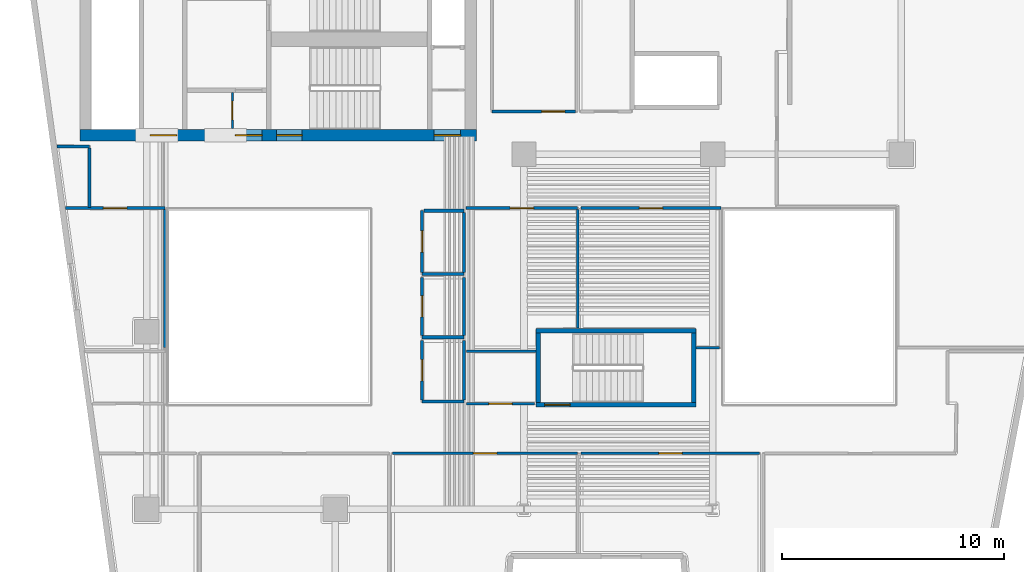
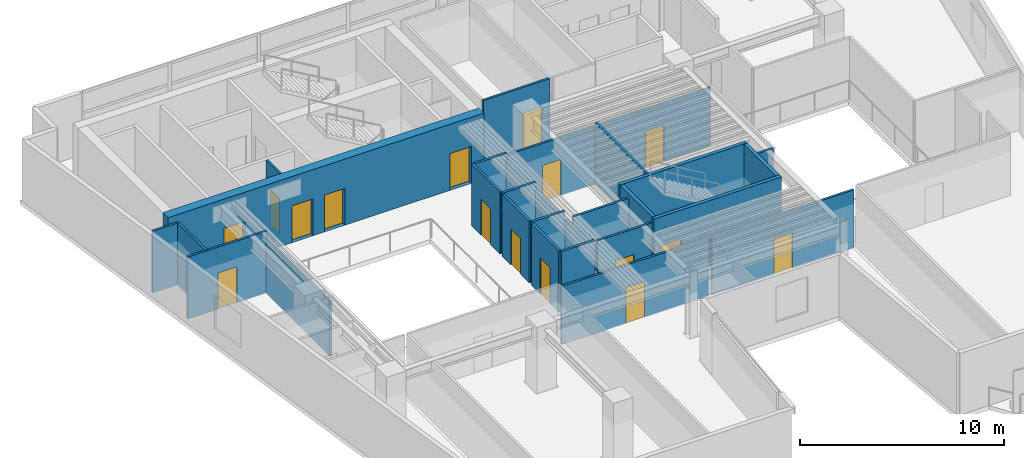
# One storey, part 6 of 12: 29 walls, 16 doors, 16 openings.
"""IFC4 building model written with IfcOpenShell, lengths in metres."""

from ifc_helpers import new_model, si_unit, direction, frame, frame_2d, origin, place, context, subcontext, project, spatial, rectangle, extrude, material, layer, layer_set, type_object, element, fill, save


model = new_model("IFC4")

# Units and contexts
model_context = context("Model", 3, precision=1e-05, world=origin(), true_north=direction((0.0, 1.0)))
body_context = subcontext(model_context, "Body", "Model", "MODEL_VIEW")
ifc_project = project(units=[si_unit("LENGTHUNIT", "METRE"), si_unit("AREAUNIT", "SQUARE_METRE"), si_unit("VOLUMEUNIT", "CUBIC_METRE"), si_unit("PLANEANGLEUNIT", "RADIAN"), si_unit("MASSUNIT", "GRAM", prefix="KILO")], contexts=[model_context])

# Site, building, storey
site_placement = place(None, origin())
site = spatial("IfcSite", under=ifc_project, at=site_placement, CompositionType="ELEMENT")
building_placement = place(site_placement, origin())
building = spatial("IfcBuilding", under=site, at=building_placement, Name="Caeloran Harvest Quay", CompositionType="ELEMENT")
storey_placement = place(building_placement, frame((0.0, 0.0, 146.949951171875)))
storey = spatial("IfcBuildingStorey", under=building, at=storey_placement, Name="L34", CompositionType="ELEMENT", Elevation=146.949951171875)

# Wall, opening, door
ifc_material_1 = material(Name="Fire-Resisting Gypsum Core Riser Partition", Category="gypsum")
ifc_layer_1 = layer(ifc_material_1, 0.10009765625, Name="Fire-Resisting Gypsum Core Riser Partition")
ifc_layer_set_1 = layer_set([ifc_layer_1], Name="Fire-Resisting Gypsum Core Riser Partition")
wall_type_1 = type_object("IfcWallType", Name="INT-WALL-PW-100", PredefinedType="PARTITIONING", material=ifc_layer_set_1)
wall_1_placement = place(storey_placement, frame((12.360107421875, 32.159912109375, 0.0), z_axis=(0.0, 0.0, 1.0), x_axis=(0.0, 1.0, 0.0)))
wall_1 = element("IfcWall", 1, at=wall_1_placement, inside=storey, type_object=wall_type_1, Name="L34 Core Store Partition Wall", PredefinedType="PARTITIONING", context=body_context, shape_type="SweptSolid", body=[
    extrude(rectangle(XDim=1.6201171875, YDim=0.10009765625, at=frame_2d((0.81005859375, 0.0))), origin(), (0.0, 0.0, 1.0), 3.68994140625),
])
opening_1_placement = place(wall_1_placement, frame((0.3798828125, 0.0, 0.0)))
opening_1 = element("IfcOpeningElement", 2, at=opening_1_placement, cuts=wall_1, Name="Opening SV-01", PredefinedType="OPENING", context=body_context, shape_type="SweptSolid", body=[
    extrude(rectangle(XDim=0.85009765625, YDim=2.10009765625, at=frame_2d((0.425048828125, 1.050048828125))), frame((0.0, 0.06005859375, 0.0), z_axis=(0.0, -1.0, 0.0), x_axis=(1.0, 0.0, 0.0)), (0.0, 0.0, 1.0), 0.1201171875),
])
ifc_material_2 = material(Name="Galvanized Painted Steel", Category="steel")
door_type_1 = type_object("IfcDoorType", Name="INTDOOR-SV-01", OperationType="NOTDEFINED", PredefinedType="DOOR", material=ifc_material_2)
door_1_placement = place(opening_1_placement, origin())
door_1 = element("IfcDoor", 3, at=door_1_placement, inside=storey, type_object=door_type_1, Name="L34 Core Service Room Access Door", OperationType="SINGLE_SWING_LEFT", OverallHeight=2.10009765625, OverallWidth=0.85009765625, PredefinedType="DOOR", context=body_context, shape_type="SweptSolid", body=[
    extrude(rectangle(XDim=0.85009765625, YDim=2.10009765625, at=frame_2d((0.425048828125, 1.050048828125))), frame((0.0, 0.02490234375, 0.0), z_axis=(0.0, -1.0, 0.0), x_axis=(1.0, 0.0, 0.0)), (0.0, 0.0, 1.0), 0.050048828125),
])
fill(opening_1, door_1)

ifc_material_3 = material(Name="Twin-Stud Mineral-Wool Acoustic Gypsum Partition", Category="gypsum")
ifc_layer_2 = layer(ifc_material_3, 0.125, Name="Twin-Stud Mineral-Wool Acoustic Gypsum Partition")
ifc_layer_set_2 = layer_set([ifc_layer_2], Name="Twin-Stud Mineral-Wool Acoustic Gypsum Partition")
wall_type_2 = type_object("IfcWallType", Name="INT-WALL-PW-125", PredefinedType="PARTITIONING", material=ifc_layer_set_2)
wall_2_placement = place(storey_placement, frame((27.8125, 32.919921875, 0.0), z_axis=(0.0, 0.0, 1.0), x_axis=(-1.0, 0.0, 0.0)))
wall_2 = element("IfcWall", 4, at=wall_2_placement, inside=storey, type_object=wall_type_2, Name="L34 Crop Phenotyping West Laboratory Partition Wall", PredefinedType="PARTITIONING", context=body_context, shape_type="SweptSolid", body=[
    extrude(rectangle(XDim=3.762451171875, YDim=0.125, at=frame_2d((1.88134765625, 0.0))), origin(), (0.0, 0.0, 1.0), 3.68994140625),
])
opening_2_placement = place(wall_2_placement, frame((0.466064453125, 0.0, 0.0)))
opening_2 = element("IfcOpeningElement", 5, at=opening_2_placement, cuts=wall_2, Name="Opening ID-03", PredefinedType="OPENING", context=body_context, shape_type="SweptSolid", body=[
    extrude(rectangle(XDim=1.050048828125, YDim=2.14990234375, at=frame_2d((0.52490234375, 1.074951171875))), frame((0.0, 0.072509765625, 0.0), z_axis=(0.0, -1.0, 0.0), x_axis=(1.0, 0.0, 0.0)), (0.0, 0.0, 1.0), 0.14501953125),
])
ifc_material_4 = material(Name="FSC Solid-Core Oak Timber Leaf", Category="wood")
door_type_2 = type_object("IfcDoorType", Name="INTDOOR-ID-03", OperationType="NOTDEFINED", PredefinedType="DOOR", material=ifc_material_4)
door_2_placement = place(opening_2_placement, origin())
door_2 = element("IfcDoor", 6, at=door_2_placement, inside=storey, type_object=door_type_2, Name="L34 Crop Phenotyping West Laboratory Access Door", OperationType="SINGLE_SWING_LEFT", OverallHeight=2.14990234375, OverallWidth=1.050048828125, PredefinedType="DOOR", context=body_context, shape_type="SweptSolid", body=[
    extrude(rectangle(XDim=1.050048828125, YDim=2.14990234375, at=frame_2d((0.52490234375, 1.074951171875))), frame((0.0, 0.02490234375, 0.0), z_axis=(0.0, -1.0, 0.0), x_axis=(1.0, 0.0, 0.0)), (0.0, 0.0, 1.0), 0.050048828125),
])
fill(opening_2, door_2)

wall_3_placement = place(storey_placement, frame((19.580078125, 17.52001953125, 0.0), z_axis=(0.0, 0.0, 1.0), x_axis=(1.0, 0.0, 0.0)))
wall_3 = element("IfcWall", 7, at=wall_3_placement, inside=storey, type_object=wall_type_2, Name="Climate Risk Modelling Office Partition Wall", PredefinedType="PARTITIONING", context=body_context, shape_type="SweptSolid", body=[
    extrude(rectangle(XDim=8.33984375, YDim=0.125, at=frame_2d((4.169921875, 0.0))), origin(), (0.0, 0.0, 1.0), 3.47509765625),
])
opening_3_placement = place(wall_3_placement, frame((3.64501953125, 0.0, 0.0)))
opening_3 = element("IfcOpeningElement", 8, at=opening_3_placement, cuts=wall_3, Name="Opening ID-03", PredefinedType="OPENING", context=body_context, shape_type="SweptSolid", body=[
    extrude(rectangle(XDim=1.050048828125, YDim=2.14990234375, at=frame_2d((0.52490234375, 1.074951171875))), frame((0.0, 0.072509765625, 0.0), z_axis=(0.0, -1.0, 0.0), x_axis=(1.0, 0.0, 0.0)), (0.0, 0.0, 1.0), 0.14501953125),
])
door_3_placement = place(opening_3_placement, origin())
door_3 = element("IfcDoor", 9, at=door_3_placement, inside=storey, type_object=door_type_2, Name="Climate Risk Modelling Office Access Door", OperationType="SINGLE_SWING_LEFT", OverallHeight=2.14990234375, OverallWidth=1.050048828125, PredefinedType="DOOR", context=body_context, shape_type="SweptSolid", body=[
    extrude(rectangle(XDim=1.050048828125, YDim=2.14990234375, at=frame_2d((0.52490234375, 1.074951171875))), frame((0.0, 0.02490234375, 0.0), z_axis=(0.0, -1.0, 0.0), x_axis=(1.0, 0.0, 0.0)), (0.0, 0.0, 1.0), 0.050048828125),
])
fill(opening_3, door_3)

wall_4_placement = place(storey_placement, frame((28.080078125, 17.52001953125, 0.0), z_axis=(0.0, 0.0, 1.0), x_axis=(1.0, 0.0, 0.0)))
wall_4 = element("IfcWall", 10, at=wall_4_placement, inside=storey, type_object=wall_type_2, Name="Video-Conference Boardroom Partition Wall", PredefinedType="PARTITIONING", context=body_context, shape_type="SweptSolid", body=[
    extrude(rectangle(XDim=8.0400390625, YDim=0.125, at=frame_2d((4.02001953125, 0.0))), origin(), (0.0, 0.0, 1.0), 3.47509765625),
])
opening_4_placement = place(wall_4_placement, frame((3.4951171875, 0.0, 0.0)))
opening_4 = element("IfcOpeningElement", 11, at=opening_4_placement, cuts=wall_4, Name="Opening ID-03", PredefinedType="OPENING", context=body_context, shape_type="SweptSolid", body=[
    extrude(rectangle(XDim=1.050048828125, YDim=2.14990234375, at=frame_2d((0.52490234375, 1.074951171875))), frame((0.0, 0.072509765625, 0.0), z_axis=(0.0, -1.0, 0.0), x_axis=(1.0, 0.0, 0.0)), (0.0, 0.0, 1.0), 0.14501953125),
])
door_4_placement = place(opening_4_placement, origin())
door_4 = element("IfcDoor", 12, at=door_4_placement, inside=storey, type_object=door_type_2, Name="Video-Conference Boardroom Access Door", OperationType="SINGLE_SWING_RIGHT", OverallHeight=2.14990234375, OverallWidth=1.050048828125, PredefinedType="DOOR", context=body_context, shape_type="SweptSolid", body=[
    extrude(rectangle(XDim=1.050048828125, YDim=2.14990234375, at=frame_2d((0.52490234375, 1.074951171875))), frame((0.0, 0.02490234375, 0.0), z_axis=(0.0, -1.0, 0.0), x_axis=(1.0, 0.0, 0.0)), (0.0, 0.0, 1.0), 0.050048828125),
])
fill(opening_4, door_4)

wall_5_placement = place(storey_placement, frame((25.9755859375, 19.75, 0.0), z_axis=(0.0, 0.0, 1.0), x_axis=(-1.0, 0.0, 0.0)))
wall_5 = element("IfcWall", 13, at=wall_5_placement, inside=storey, type_object=wall_type_2, Name="Executive Briefing Conference Room Partition Wall", PredefinedType="PARTITIONING", context=body_context, shape_type="SweptSolid", body=[
    extrude(rectangle(XDim=3.065673828125, YDim=0.125, at=frame_2d((1.53271484375, 0.0))), origin(), (0.0, 0.0, 1.0), 3.68994140625),
])
opening_5_placement = place(wall_5_placement, frame((1.0078125, 0.0, 0.0)))
opening_5 = element("IfcOpeningElement", 14, at=opening_5_placement, cuts=wall_5, Name="Opening ID-03", PredefinedType="OPENING", context=body_context, shape_type="SweptSolid", body=[
    extrude(rectangle(XDim=1.050048828125, YDim=2.14990234375, at=frame_2d((0.52490234375, 1.074951171875))), frame((0.0, 0.072509765625, 0.0), z_axis=(0.0, -1.0, 0.0), x_axis=(1.0, 0.0, 0.0)), (0.0, 0.0, 1.0), 0.14501953125),
])
door_5_placement = place(opening_5_placement, origin())
door_5 = element("IfcDoor", 15, at=door_5_placement, inside=storey, type_object=door_type_2, Name="Executive Briefing Conference Room Access Door", OperationType="SINGLE_SWING_LEFT", OverallHeight=2.14990234375, OverallWidth=1.050048828125, PredefinedType="DOOR", context=body_context, shape_type="SweptSolid", body=[
    extrude(rectangle(XDim=1.050048828125, YDim=2.14990234375, at=frame_2d((0.52490234375, 1.074951171875))), frame((0.0, 0.02490234375, 0.0), z_axis=(0.0, -1.0, 0.0), x_axis=(1.0, 0.0, 0.0)), (0.0, 0.0, 1.0), 0.050048828125),
])
fill(opening_5, door_5)

# Wall
wall_6_placement = place(storey_placement, frame((22.909912109375, 22.1201171875, 0.0), z_axis=(0.0, 0.0, 1.0), x_axis=(1.0, 0.0, 0.0)))
element("IfcWall", 16, at=wall_6_placement, inside=storey, type_object=wall_type_2, Name="Executive Briefing Conference Room Partition Wall", PredefinedType="PARTITIONING", context=body_context, shape_type="SweptSolid", body=[
    extrude(rectangle(XDim=3.135009765625, YDim=0.125, at=frame_2d((1.5673828125, 0.0))), origin(), (0.0, 0.0, 1.0), 3.68994140625),
])

# Wall, opening, door
wall_7_placement = place(storey_placement, frame((22.889892578125, 28.570068359375, 0.0), z_axis=(0.0, 0.0, 1.0), x_axis=(1.0, 0.0, 0.0)))
wall_7 = element("IfcWall", 17, at=wall_7_placement, inside=storey, type_object=wall_type_2, Name="Client Reception Salon Lounge Partition Wall", PredefinedType="PARTITIONING", context=body_context, shape_type="SweptSolid", body=[
    extrude(rectangle(XDim=5.030029296875, YDim=0.125, at=frame_2d((2.51513671875, 0.0))), origin(), (0.0, 0.0, 1.0), 3.47509765625),
])
opening_6_placement = place(wall_7_placement, frame((1.989990234375, 0.0, 0.0)))
opening_6 = element("IfcOpeningElement", 18, at=opening_6_placement, cuts=wall_7, Name="Opening ID-03", PredefinedType="OPENING", context=body_context, shape_type="SweptSolid", body=[
    extrude(rectangle(XDim=1.050048828125, YDim=2.14990234375, at=frame_2d((0.52490234375, 1.074951171875))), frame((0.0, 0.072509765625, 0.0), z_axis=(0.0, -1.0, 0.0), x_axis=(1.0, 0.0, 0.0)), (0.0, 0.0, 1.0), 0.14501953125),
])
door_6_placement = place(opening_6_placement, origin())
door_6 = element("IfcDoor", 19, at=door_6_placement, inside=storey, type_object=door_type_2, Name="Client Reception Salon Lounge Access Door", OperationType="SINGLE_SWING_LEFT", OverallHeight=2.14990234375, OverallWidth=1.050048828125, PredefinedType="DOOR", context=body_context, shape_type="SweptSolid", body=[
    extrude(rectangle(XDim=1.050048828125, YDim=2.14990234375, at=frame_2d((0.52490234375, 1.074951171875))), frame((0.0, 0.02490234375, 0.0), z_axis=(0.0, -1.0, 0.0), x_axis=(1.0, 0.0, 0.0)), (0.0, 0.0, 1.0), 0.050048828125),
])
fill(opening_6, door_6)

# Wall
wall_8_placement = place(storey_placement, frame((27.919921875, 28.50244140625, 0.0), z_axis=(0.0, 0.0, 1.0), x_axis=(0.0, -1.0, 0.0)))
element("IfcWall", 20, at=wall_8_placement, inside=storey, type_object=wall_type_2, Name="Client Reception Salon Lounge Partition Wall", PredefinedType="PARTITIONING", context=body_context, shape_type="SweptSolid", body=[
    extrude(rectangle(XDim=5.347412109375, YDim=0.125, at=frame_2d((2.673828125, 0.0))), origin(), (0.0, 0.0, 1.0), 3.68994140625),
])

# Wall, opening, door
wall_9_placement = place(storey_placement, frame((28.080078125, 28.570068359375, 0.0), z_axis=(0.0, 0.0, 1.0), x_axis=(1.0, 0.0, 0.0)))
wall_9 = element("IfcWall", 21, at=wall_9_placement, inside=storey, type_object=wall_type_2, Name="Supply-Chain Digital Trading Floor Office 9 Partition Wall", PredefinedType="PARTITIONING", context=body_context, shape_type="SweptSolid", body=[
    extrude(rectangle(XDim=6.2900390625, YDim=0.125, at=frame_2d((3.14501953125, 0.0))), origin(), (0.0, 0.0, 1.0), 3.47509765625),
])
opening_7_placement = place(wall_9_placement, frame((2.6201171875, 0.0, 0.0)))
opening_7 = element("IfcOpeningElement", 22, at=opening_7_placement, cuts=wall_9, Name="Opening ID-03", PredefinedType="OPENING", context=body_context, shape_type="SweptSolid", body=[
    extrude(rectangle(XDim=1.050048828125, YDim=2.14990234375, at=frame_2d((0.52490234375, 1.074951171875))), frame((0.0, 0.072509765625, 0.0), z_axis=(0.0, -1.0, 0.0), x_axis=(1.0, 0.0, 0.0)), (0.0, 0.0, 1.0), 0.14501953125),
])
door_7_placement = place(opening_7_placement, origin())
door_7 = element("IfcDoor", 23, at=door_7_placement, inside=storey, type_object=door_type_2, Name="Supply-Chain Digital Trading Floor Office 9 Access Door", OperationType="SINGLE_SWING_RIGHT", OverallHeight=2.14990234375, OverallWidth=1.050048828125, PredefinedType="DOOR", context=body_context, shape_type="SweptSolid", body=[
    extrude(rectangle(XDim=1.050048828125, YDim=2.14990234375, at=frame_2d((0.52490234375, 1.074951171875))), frame((0.0, 0.02490234375, 0.0), z_axis=(0.0, -1.0, 0.0), x_axis=(1.0, 0.0, 0.0)), (0.0, 0.0, 1.0), 0.050048828125),
])
fill(opening_7, door_7)

# Walls
wall_10_placement = place(storey_placement, frame((34.302490234375, 22.280029296875, 0.0), z_axis=(0.0, 0.0, 1.0), x_axis=(-1.0, 0.0, 0.0)))
element("IfcWall", 24, at=wall_10_placement, inside=storey, type_object=wall_type_2, Name="Supply-Chain Digital Trading Floor Office 9 Partition Wall", PredefinedType="PARTITIONING", context=body_context, shape_type="SweptSolid", body=[
    extrude(rectangle(XDim=1.047607421875, YDim=0.125, at=frame_2d((0.52392578125, 0.0))), origin(), (0.0, 0.0, 1.0), 3.68994140625),
])
wall_11_placement = place(storey_placement, frame((4.44775390625, 31.35009765625, 0.0), z_axis=(0.0, 0.0, 1.0), x_axis=(1.0, 0.0, 0.0)))
element("IfcWall", 25, at=wall_11_placement, inside=storey, type_object=wall_type_2, Name="Climate Risk Modelling Office 10 Partition Wall", PredefinedType="PARTITIONING", context=body_context, shape_type="SweptSolid", body=[
    extrude(rectangle(XDim=1.47216796875, YDim=0.125, at=frame_2d((0.736083984375, 0.0))), origin(), (0.0, 0.0, 1.0), 3.68994140625),
])
wall_12_placement = place(storey_placement, frame((5.919921875, 31.282470703125, 0.0), z_axis=(0.0, 0.0, 1.0), x_axis=(0.0, -1.0, 0.0)))
element("IfcWall", 26, at=wall_12_placement, inside=storey, type_object=wall_type_2, Name="Climate Risk Modelling Office 10 Partition Wall", PredefinedType="PARTITIONING", context=body_context, shape_type="SweptSolid", body=[
    extrude(rectangle(XDim=2.682373046875, YDim=0.125, at=frame_2d((1.34130859375, 0.0))), origin(), (0.0, 0.0, 1.0), 3.68994140625),
])

# Wall, opening, door
wall_13_placement = place(storey_placement, frame((4.832275390625, 28.570068359375, 0.0), z_axis=(0.0, 0.0, 1.0), x_axis=(1.0, 0.0, 0.0)))
wall_13 = element("IfcWall", 27, at=wall_13_placement, inside=storey, type_object=wall_type_2, Name="Climate Risk Modelling Office 10 Partition Wall", PredefinedType="PARTITIONING", context=body_context, shape_type="SweptSolid", body=[
    extrude(rectangle(XDim=4.48779296875, YDim=0.125, at=frame_2d((2.243896484375, 0.0))), origin(), (0.0, 0.0, 1.0), 3.68994140625),
])
opening_8_placement = place(wall_13_placement, frame((1.718994140625, 0.0, 0.0)))
opening_8 = element("IfcOpeningElement", 28, at=opening_8_placement, cuts=wall_13, Name="Opening ID-03", PredefinedType="OPENING", context=body_context, shape_type="SweptSolid", body=[
    extrude(rectangle(XDim=1.050048828125, YDim=2.14990234375, at=frame_2d((0.52490234375, 1.074951171875))), frame((0.0, 0.072509765625, 0.0), z_axis=(0.0, -1.0, 0.0), x_axis=(1.0, 0.0, 0.0)), (0.0, 0.0, 1.0), 0.14501953125),
])
door_8_placement = place(opening_8_placement, origin())
door_8 = element("IfcDoor", 29, at=door_8_placement, inside=storey, type_object=door_type_2, Name="Climate Risk Modelling Office 10 Access Door", OperationType="SINGLE_SWING_LEFT", OverallHeight=2.14990234375, OverallWidth=1.050048828125, PredefinedType="DOOR", context=body_context, shape_type="SweptSolid", body=[
    extrude(rectangle(XDim=1.050048828125, YDim=2.14990234375, at=frame_2d((0.52490234375, 1.074951171875))), frame((0.0, 0.02490234375, 0.0), z_axis=(0.0, -1.0, 0.0), x_axis=(1.0, 0.0, 0.0)), (0.0, 0.0, 1.0), 0.050048828125),
])
fill(opening_8, door_8)

# Walls
wall_14_placement = place(storey_placement, frame((9.320068359375, 28.50244140625, 0.0), z_axis=(0.0, 0.0, 1.0), x_axis=(0.0, -1.0, 0.0)))
element("IfcWall", 30, at=wall_14_placement, inside=storey, type_object=wall_type_2, Name="Climate Risk Modelling Office 10 Partition Wall", PredefinedType="PARTITIONING", context=body_context, shape_type="SweptSolid", body=[
    extrude(rectangle(XDim=6.222412109375, YDim=0.125, at=frame_2d((3.111328125, 0.0))), origin(), (0.0, 0.0, 1.0), 3.31494140625),
])
ifc_material_5 = material(Name="Moisture-Resistant Cement-Board Sanitary Partition", Category="gypsum")
ifc_layer_3 = layer(ifc_material_5, 0.139892578125, Name="Moisture-Resistant Cement-Board Sanitary Partition")
ifc_layer_set_3 = layer_set([ifc_layer_3], Name="Moisture-Resistant Cement-Board Sanitary Partition")
wall_type_3 = type_object("IfcWallType", Name="INT-WALL-PW-140", PredefinedType="PARTITIONING", material=ifc_layer_set_3)
wall_15_placement = place(storey_placement, frame((22.800048828125, 25.60009765625, 0.0), z_axis=(0.0, 0.0, 1.0), x_axis=(-1.0, 0.0, 0.0)))
element("IfcWall", 31, at=wall_15_placement, inside=storey, type_object=wall_type_3, Name="L34 Male Washroom WC Partition Wall", PredefinedType="PARTITIONING", context=body_context, shape_type="SweptSolid", body=[
    extrude(rectangle(XDim=1.89013671875, YDim=0.139892578125, at=frame_2d((0.945068359375, 0.0))), origin(), (0.0, 0.0, 1.0), 3.68994140625),
])

# Wall, opening, door
wall_16_placement = place(storey_placement, frame((20.909912109375, 25.675048828125, 0.0), z_axis=(0.0, 0.0, 1.0), x_axis=(0.0, 1.0, 0.0)))
wall_16 = element("IfcWall", 32, at=wall_16_placement, inside=storey, type_object=wall_type_3, Name="L34 Male Washroom WC Partition Wall", PredefinedType="PARTITIONING", context=body_context, shape_type="SweptSolid", body=[
    extrude(rectangle(XDim=2.77490234375, YDim=0.139892578125, at=frame_2d((1.387451171875, 0.0))), origin(), (0.0, 0.0, 1.0), 3.68994140625),
])
opening_9_placement = place(wall_16_placement, frame((0.91259765625, 0.0, 0.0)))
opening_9 = element("IfcOpeningElement", 33, at=opening_9_placement, cuts=wall_16, Name="Opening WC-01", PredefinedType="OPENING", context=body_context, shape_type="SweptSolid", body=[
    extrude(rectangle(XDim=0.949951171875, YDim=2.14990234375, at=frame_2d((0.47509765625, 1.074951171875))), frame((0.0, 0.080078125, 0.0), z_axis=(0.0, -1.0, 0.0), x_axis=(1.0, 0.0, 0.0)), (0.0, 0.0, 1.0), 0.159912109375),
])
ifc_material_6 = material(Name="High-Pressure Laminate Moisture-Resistant Timber", Category="wood")
door_type_3 = type_object("IfcDoorType", Name="INTDOOR-WC-01", OperationType="NOTDEFINED", PredefinedType="DOOR", material=ifc_material_6)
door_9_placement = place(opening_9_placement, origin())
door_9 = element("IfcDoor", 34, at=door_9_placement, inside=storey, type_object=door_type_3, Name="L34 Male Washroom WC Access Door", OperationType="SINGLE_SWING_LEFT", OverallHeight=2.14990234375, OverallWidth=0.949951171875, PredefinedType="DOOR", context=body_context, shape_type="SweptSolid", body=[
    extrude(rectangle(XDim=0.949951171875, YDim=2.14990234375, at=frame_2d((0.47509765625, 1.074951171875))), frame((0.0, 0.02490234375, 0.0), z_axis=(0.0, -1.0, 0.0), x_axis=(1.0, 0.0, 0.0)), (0.0, 0.0, 1.0), 0.050048828125),
])
fill(opening_9, door_9)

# Walls
wall_17_placement = place(storey_placement, frame((20.985107421875, 28.449951171875, 0.0), z_axis=(0.0, 0.0, 1.0), x_axis=(1.0, 0.0, 0.0)))
element("IfcWall", 35, at=wall_17_placement, inside=storey, type_object=wall_type_3, Name="L34 Male Washroom WC Partition Wall", PredefinedType="PARTITIONING", context=body_context, shape_type="SweptSolid", body=[
    extrude(rectangle(XDim=1.81494140625, YDim=0.139892578125, at=frame_2d((0.907470703125, 0.0))), origin(), (0.0, 0.0, 1.0), 3.68994140625),
])
wall_18_placement = place(storey_placement, frame((22.800048828125, 28.375, 0.0), z_axis=(0.0, 0.0, 1.0), x_axis=(0.0, -1.0, 0.0)))
element("IfcWall", 36, at=wall_18_placement, inside=storey, type_object=wall_type_3, Name="L34 Male Washroom WC Partition Wall", PredefinedType="PARTITIONING", context=body_context, shape_type="SweptSolid", body=[
    extrude(rectangle(XDim=2.699951171875, YDim=0.139892578125, at=frame_2d((1.35009765625, 0.0))), origin(), (0.0, 0.0, 1.0), 3.31494140625),
])
wall_19_placement = place(storey_placement, frame((22.800048828125, 22.75, 0.0), z_axis=(0.0, 0.0, 1.0), x_axis=(-1.0, 0.0, 0.0)))
element("IfcWall", 37, at=wall_19_placement, inside=storey, type_object=wall_type_3, Name="L34 Female Washroom WC Partition Wall", PredefinedType="PARTITIONING", context=body_context, shape_type="SweptSolid", body=[
    extrude(rectangle(XDim=1.89013671875, YDim=0.139892578125, at=frame_2d((0.945068359375, 0.0))), origin(), (0.0, 0.0, 1.0), 3.68994140625),
])

# Wall, opening, door
wall_20_placement = place(storey_placement, frame((20.909912109375, 22.824951171875, 0.0), z_axis=(0.0, 0.0, 1.0), x_axis=(0.0, 1.0, 0.0)))
wall_20 = element("IfcWall", 38, at=wall_20_placement, inside=storey, type_object=wall_type_3, Name="L34 Female Washroom WC Partition Wall", PredefinedType="PARTITIONING", context=body_context, shape_type="SweptSolid", body=[
    extrude(rectangle(XDim=2.625, YDim=0.139892578125, at=frame_2d((1.3125, 0.0))), origin(), (0.0, 0.0, 1.0), 3.68994140625),
])
opening_10_placement = place(wall_20_placement, frame((0.83740234375, 0.0, 0.0)))
opening_10 = element("IfcOpeningElement", 39, at=opening_10_placement, cuts=wall_20, Name="Opening WC-01", PredefinedType="OPENING", context=body_context, shape_type="SweptSolid", body=[
    extrude(rectangle(XDim=0.949951171875, YDim=2.14990234375, at=frame_2d((0.47509765625, 1.074951171875))), frame((0.0, 0.080078125, 0.0), z_axis=(0.0, -1.0, 0.0), x_axis=(1.0, 0.0, 0.0)), (0.0, 0.0, 1.0), 0.159912109375),
])
door_10_placement = place(opening_10_placement, origin())
door_10 = element("IfcDoor", 40, at=door_10_placement, inside=storey, type_object=door_type_3, Name="L34 Female Washroom WC Access Door", OperationType="SINGLE_SWING_RIGHT", OverallHeight=2.14990234375, OverallWidth=0.949951171875, PredefinedType="DOOR", context=body_context, shape_type="SweptSolid", body=[
    extrude(rectangle(XDim=0.949951171875, YDim=2.14990234375, at=frame_2d((0.47509765625, 1.074951171875))), frame((0.0, 0.02490234375, 0.0), z_axis=(0.0, -1.0, 0.0), x_axis=(1.0, 0.0, 0.0)), (0.0, 0.0, 1.0), 0.050048828125),
])
fill(opening_10, door_10)

# Walls
wall_21_placement = place(storey_placement, frame((22.800048828125, 25.449951171875, 0.0), z_axis=(0.0, 0.0, 1.0), x_axis=(0.0, -1.0, 0.0)))
element("IfcWall", 41, at=wall_21_placement, inside=storey, type_object=wall_type_3, Name="L34 Female Washroom WC Partition Wall", PredefinedType="PARTITIONING", context=body_context, shape_type="SweptSolid", body=[
    extrude(rectangle(XDim=2.625, YDim=0.139892578125, at=frame_2d((1.3125, 0.0))), origin(), (0.0, 0.0, 1.0), 3.31494140625),
])
wall_22_placement = place(storey_placement, frame((22.800048828125, 19.85009765625, 0.0), z_axis=(0.0, 0.0, 1.0), x_axis=(-1.0, 0.0, 0.0)))
element("IfcWall", 42, at=wall_22_placement, inside=storey, type_object=wall_type_3, Name="L34 Accessible Unisex Washroom WC Partition Wall", PredefinedType="PARTITIONING", context=body_context, shape_type="SweptSolid", body=[
    extrude(rectangle(XDim=1.89013671875, YDim=0.139892578125, at=frame_2d((0.945068359375, 0.0))), origin(), (0.0, 0.0, 1.0), 3.68994140625),
])

# Wall, opening, door
wall_23_placement = place(storey_placement, frame((20.909912109375, 19.925048828125, 0.0), z_axis=(0.0, 0.0, 1.0), x_axis=(0.0, 1.0, 0.0)))
wall_23 = element("IfcWall", 43, at=wall_23_placement, inside=storey, type_object=wall_type_3, Name="L34 Accessible Unisex Washroom WC Partition Wall", PredefinedType="PARTITIONING", context=body_context, shape_type="SweptSolid", body=[
    extrude(rectangle(XDim=2.675048828125, YDim=0.139892578125, at=frame_2d((1.33740234375, 0.0))), origin(), (0.0, 0.0, 1.0), 3.68994140625),
])
opening_11_placement = place(wall_23_placement, frame((0.862548828125, 0.0, 0.0)))
opening_11 = element("IfcOpeningElement", 44, at=opening_11_placement, cuts=wall_23, Name="Opening WC-01", PredefinedType="OPENING", context=body_context, shape_type="SweptSolid", body=[
    extrude(rectangle(XDim=0.949951171875, YDim=2.14990234375, at=frame_2d((0.47509765625, 1.074951171875))), frame((0.0, 0.080078125, 0.0), z_axis=(0.0, -1.0, 0.0), x_axis=(1.0, 0.0, 0.0)), (0.0, 0.0, 1.0), 0.159912109375),
])
door_11_placement = place(opening_11_placement, origin())
door_11 = element("IfcDoor", 45, at=door_11_placement, inside=storey, type_object=door_type_3, Name="L34 Accessible Unisex Washroom WC Access Door", OperationType="SINGLE_SWING_LEFT", OverallHeight=2.14990234375, OverallWidth=0.949951171875, PredefinedType="DOOR", context=body_context, shape_type="SweptSolid", body=[
    extrude(rectangle(XDim=0.949951171875, YDim=2.14990234375, at=frame_2d((0.47509765625, 1.074951171875))), frame((0.0, 0.02490234375, 0.0), z_axis=(0.0, -1.0, 0.0), x_axis=(1.0, 0.0, 0.0)), (0.0, 0.0, 1.0), 0.050048828125),
])
fill(opening_11, door_11)

# Wall
wall_24_placement = place(storey_placement, frame((22.800048828125, 22.60009765625, 0.0), z_axis=(0.0, 0.0, 1.0), x_axis=(0.0, -1.0, 0.0)))
element("IfcWall", 46, at=wall_24_placement, inside=storey, type_object=wall_type_3, Name="L34 Accessible Unisex Washroom WC Partition Wall", PredefinedType="PARTITIONING", context=body_context, shape_type="SweptSolid", body=[
    extrude(rectangle(XDim=2.675048828125, YDim=0.139892578125, at=frame_2d((1.33740234375, 0.0))), origin(), (0.0, 0.0, 1.0), 3.31494140625),
])

# Wall, openings, doors
ifc_material_7 = material(Name="Concrete C70/85", Category="concrete")
ifc_layer_4 = layer(ifc_material_7, 0.5, Name="Concrete C70/85")
ifc_layer_set_4 = layer_set([ifc_layer_4], Name="Concrete C70/85")
wall_type_4 = type_object("IfcWallType", Name="STR-WALL-CW-500", PredefinedType="SHEAR", material=ifc_layer_set_4)
wall_25_placement = place(storey_placement, frame((5.5, 31.85009765625, 0.0), z_axis=(0.0, 0.0, 1.0), x_axis=(1.0, 0.0, 0.0)))
wall_25 = element("IfcWall", 47, at=wall_25_placement, inside=storey, type_object=wall_type_4, Name="L34 Rear Core Shear Wall S", PredefinedType="SHEAR", context=body_context, shape_type="SweptSolid", body=[
    extrude(rectangle(XDim=17.85009765625, YDim=0.5, at=frame_2d((8.925048828125, 0.0))), origin(), (0.0, 0.0, 1.0), 3.949951171875),
])
opening_12_placement = place(wall_25_placement, frame((3.14990234375, 0.0, 0.0)))
opening_12 = element("IfcOpeningElement", 48, at=opening_12_placement, cuts=wall_25, Name="Opening FD-01", PredefinedType="OPENING", context=body_context, shape_type="SweptSolid", body=[
    extrude(rectangle(XDim=1.199951171875, YDim=2.199951171875, at=frame_2d((0.60009765625, 1.10009765625))), frame((0.0, 0.260009765625, 0.0), z_axis=(0.0, -1.0, 0.0), x_axis=(1.0, 0.0, 0.0)), (0.0, 0.0, 1.0), 0.52001953125),
])
opening_13_placement = place(wall_25_placement, frame((7.0, 0.0, 0.0)))
opening_13 = element("IfcOpeningElement", 49, at=opening_13_placement, cuts=wall_25, Name="Opening FD-01", PredefinedType="OPENING", context=body_context, shape_type="SweptSolid", body=[
    extrude(rectangle(XDim=1.199951171875, YDim=2.199951171875, at=frame_2d((0.60009765625, 1.10009765625))), frame((0.0, 0.260009765625, 0.0), z_axis=(0.0, -1.0, 0.0), x_axis=(1.0, 0.0, 0.0)), (0.0, 0.0, 1.0), 0.52001953125),
])
opening_14_placement = place(wall_25_placement, frame((8.85009765625, 0.0, 0.0)))
opening_14 = element("IfcOpeningElement", 50, at=opening_14_placement, cuts=wall_25, Name="Opening SD-01", PredefinedType="OPENING", context=body_context, shape_type="SweptSolid", body=[
    extrude(rectangle(XDim=1.14990234375, YDim=2.199951171875, at=frame_2d((0.574951171875, 1.10009765625))), frame((0.0, 0.260009765625, 0.0), z_axis=(0.0, -1.0, 0.0), x_axis=(1.0, 0.0, 0.0)), (0.0, 0.0, 1.0), 0.52001953125),
])
opening_15_placement = place(wall_25_placement, frame((15.949951171875, 0.0, 0.0)))
opening_15 = element("IfcOpeningElement", 51, at=opening_15_placement, cuts=wall_25, Name="Opening FD-01", PredefinedType="OPENING", context=body_context, shape_type="SweptSolid", body=[
    extrude(rectangle(XDim=1.199951171875, YDim=2.199951171875, at=frame_2d((0.60009765625, 1.10009765625))), frame((0.0, 0.260009765625, 0.0), z_axis=(0.0, -1.0, 0.0), x_axis=(1.0, 0.0, 0.0)), (0.0, 0.0, 1.0), 0.52001953125),
])
ifc_material_8 = material(Name="Steel", Category="steel")
door_type_4 = type_object("IfcDoorType", Name="INTDOOR-FD-01", OperationType="NOTDEFINED", PredefinedType="DOOR", material=ifc_material_8)
door_12_placement = place(opening_12_placement, origin())
door_12 = element("IfcDoor", 52, at=door_12_placement, inside=storey, type_object=door_type_4, Name="L34 High-Rise Lift Lobby Fire Door", OperationType="SINGLE_SWING_RIGHT", OverallHeight=2.199951171875, OverallWidth=1.199951171875, PredefinedType="DOOR", context=body_context, shape_type="SweptSolid", body=[
    extrude(rectangle(XDim=1.199951171875, YDim=2.199951171875, at=frame_2d((0.60009765625, 1.10009765625))), frame((0.0, 0.02490234375, 0.0), z_axis=(0.0, -1.0, 0.0), x_axis=(1.0, 0.0, 0.0)), (0.0, 0.0, 1.0), 0.050048828125),
])
fill(opening_12, door_12)
door_13_placement = place(opening_13_placement, origin())
door_13 = element("IfcDoor", 53, at=door_13_placement, inside=storey, type_object=door_type_4, Name="L34 Firefighting Lobby Vestibule Fire Door", OperationType="SINGLE_SWING_LEFT", OverallHeight=2.199951171875, OverallWidth=1.199951171875, PredefinedType="DOOR", context=body_context, shape_type="SweptSolid", body=[
    extrude(rectangle(XDim=1.199951171875, YDim=2.199951171875, at=frame_2d((0.60009765625, 1.10009765625))), frame((0.0, 0.02490234375, 0.0), z_axis=(0.0, -1.0, 0.0), x_axis=(1.0, 0.0, 0.0)), (0.0, 0.0, 1.0), 0.050048828125),
])
fill(opening_13, door_13)
door_14_placement = place(opening_15_placement, origin())
door_14 = element("IfcDoor", 54, at=door_14_placement, inside=storey, type_object=door_type_4, Name="L34 Service Lift Lobby Fire Door", OperationType="SINGLE_SWING_LEFT", OverallHeight=2.199951171875, OverallWidth=1.199951171875, PredefinedType="DOOR", context=body_context, shape_type="SweptSolid", body=[
    extrude(rectangle(XDim=1.199951171875, YDim=2.199951171875, at=frame_2d((0.60009765625, 1.10009765625))), frame((0.0, 0.02490234375, 0.0), z_axis=(0.0, -1.0, 0.0), x_axis=(1.0, 0.0, 0.0)), (0.0, 0.0, 1.0), 0.050048828125),
])
fill(opening_15, door_14)
door_type_5 = type_object("IfcDoorType", Name="INTDOOR-SD-01", OperationType="NOTDEFINED", PredefinedType="DOOR", material=ifc_material_8)
door_15_placement = place(opening_14_placement, origin())
door_15 = element("IfcDoor", 55, at=door_15_placement, inside=storey, type_object=door_type_5, Name="L34 Protected Stair ST-C2 Exit Door", OperationType="SINGLE_SWING_RIGHT", OverallHeight=2.199951171875, OverallWidth=1.14990234375, PredefinedType="DOOR", context=body_context, shape_type="SweptSolid", body=[
    extrude(rectangle(XDim=1.14990234375, YDim=2.199951171875, at=frame_2d((0.574951171875, 1.10009765625))), frame((0.0, 0.02490234375, 0.0), z_axis=(0.0, -1.0, 0.0), x_axis=(1.0, 0.0, 0.0)), (0.0, 0.0, 1.0), 0.050048828125),
])
fill(opening_14, door_15)

# Wall, opening, door
ifc_material_9 = material(Name="Concrete C60/75", Category="concrete")
ifc_layer_5 = layer(ifc_material_9, 0.199951171875, Name="Concrete C60/75")
ifc_layer_set_5 = layer_set([ifc_layer_5], Name="Concrete C60/75")
wall_type_5 = type_object("IfcWallType", Name="STR-WALL-SW-200", PredefinedType="SHEAR", material=ifc_layer_set_5)
wall_26_placement = place(storey_placement, frame((26.050048828125, 19.699951171875, 0.0), z_axis=(0.0, 0.0, 1.0), x_axis=(1.0, 0.0, 0.0)))
wall_26 = element("IfcWall", 56, at=wall_26_placement, inside=storey, type_object=wall_type_5, Name="L34 Stair ST-W1 S RC Shaft Shear Wall", PredefinedType="SHEAR", context=body_context, shape_type="SweptSolid", body=[
    extrude(rectangle(XDim=7.199951171875, YDim=0.199951171875, at=frame_2d((3.60009765625, 0.0))), origin(), (0.0, 0.0, 1.0), 3.949951171875),
])
opening_16_placement = place(wall_26_placement, frame((0.3798828125, 0.0, 0.0)))
opening_16 = element("IfcOpeningElement", 57, at=opening_16_placement, cuts=wall_26, Name="Opening SD-01", PredefinedType="OPENING", context=body_context, shape_type="SweptSolid", body=[
    extrude(rectangle(XDim=1.14990234375, YDim=2.199951171875, at=frame_2d((0.574951171875, 1.10009765625))), frame((0.0, 0.10986328125, 0.0), z_axis=(0.0, -1.0, 0.0), x_axis=(1.0, 0.0, 0.0)), (0.0, 0.0, 1.0), 0.219970703125),
])
door_16_placement = place(opening_16_placement, origin())
door_16 = element("IfcDoor", 58, at=door_16_placement, inside=storey, type_object=door_type_5, Name="L34 Protected Exit Stair ST-W1 Fire Door", OperationType="SINGLE_SWING_LEFT", OverallHeight=2.199951171875, OverallWidth=1.14990234375, PredefinedType="DOOR", context=body_context, shape_type="SweptSolid", body=[
    extrude(rectangle(XDim=1.14990234375, YDim=2.199951171875, at=frame_2d((0.574951171875, 1.10009765625))), frame((0.0, 0.02490234375, 0.0), z_axis=(0.0, -1.0, 0.0), x_axis=(1.0, 0.0, 0.0)), (0.0, 0.0, 1.0), 0.050048828125),
])
fill(opening_16, door_16)

# Walls
wall_27_placement = place(storey_placement, frame((26.050048828125, 23.050048828125, 0.0), z_axis=(0.0, 0.0, 1.0), x_axis=(1.0, 0.0, 0.0)))
element("IfcWall", 59, at=wall_27_placement, inside=storey, type_object=wall_type_5, Name="L34 Stair ST-W1 N RC Shaft Shear Wall", PredefinedType="SHEAR", context=body_context, shape_type="SweptSolid", body=[
    extrude(rectangle(XDim=7.199951171875, YDim=0.199951171875, at=frame_2d((3.60009765625, 0.0))), origin(), (0.0, 0.0, 1.0), 3.949951171875),
])
for number, where, z_axis, x_axis, name in (
    (60, (26.14990234375, 19.81005859375, 0.0), (0.0, 0.0, 1.0), (0.0, 1.0, 0.0), "L34 Stair ST-W1 W RC Shaft Shear Wall"),
    (61, (33.14990234375, 19.81005859375, 0.0), (0.0, 0.0, 1.0), (0.0, 1.0, 0.0), "L34 Stair ST-W1 E RC Shaft Shear Wall"),
):
    element("IfcWall", number, at=place(storey_placement, frame(where, z_axis=z_axis, x_axis=x_axis)), inside=storey, type_object=wall_type_5, Name=name, PredefinedType="SHEAR", context=body_context, shape_type="SweptSolid", body=[
        extrude(rectangle(XDim=3.1298828125, YDim=0.199951171875, at=frame_2d((1.56494140625, 0.0))), origin(), (0.0, 0.0, 1.0), 3.949951171875),
    ])

save(model, "model.ifc")
